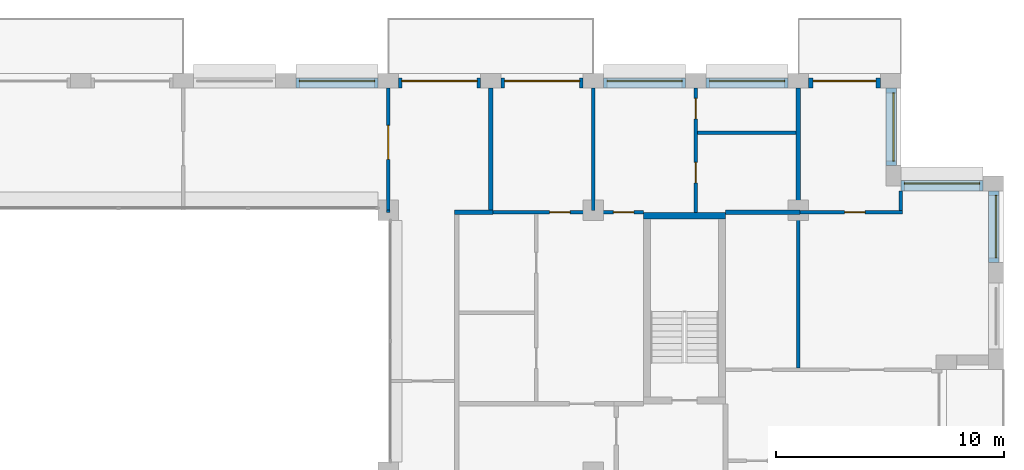
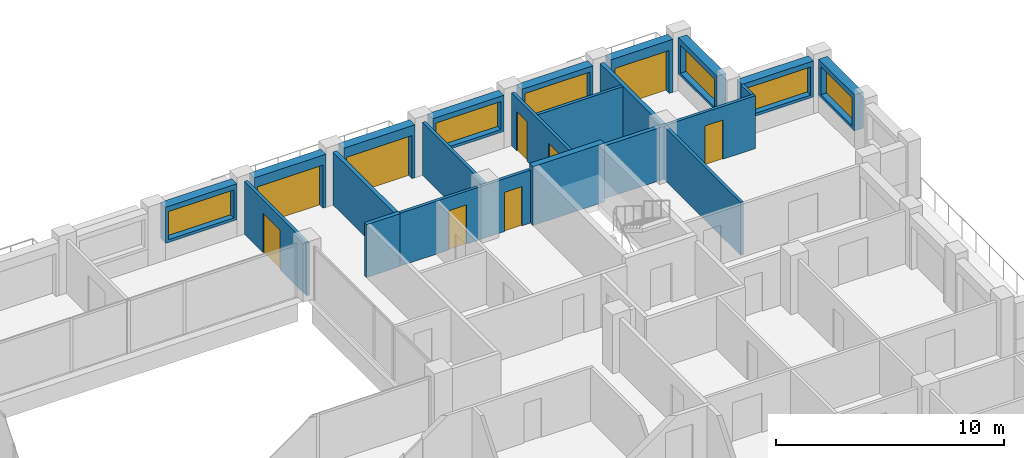
# One storey, part 14 of 16: 23 walls, 9 doors, 6 windows, 15 openings.
"""IFC4 building model written with IfcOpenShell, lengths in metres."""

import ifcopenshell
import ifcopenshell.guid

model = None  # the IFC model being written
_history = None  # IfcOwnerHistory: only IFC2X3 demands one
_inside = {}  # id of a spatial element -> (the spatial element, [elements in it])
_under = {}  # id of a project, library or spatial element -> (it, [spatial elements below it])
_declared = {}  # id of a project -> (the project, [libraries it declares])
_typed = {}  # id of a type object -> (the type object, [elements of that type])
_made_of = {}  # id of a material, layer set ... -> (it, [elements and type objects made of it])


def new_model(schema):
    """Start an empty IFC model of exactly this schema.

    Asked for "IFC4X3", IfcOpenShell would pick the latest addendum, in which some entities
    have other attributes; the version numbers below select the first issue.
    IFC2X3 requires an IfcOwnerHistory on every rooted entity: one is made here for all.
    """
    global model, _history
    if schema == "IFC4X3":
        model = ifcopenshell.file(schema_version=(4, 3, 0, 0))
    else:
        model = ifcopenshell.file(schema=schema)
    _inside.clear()
    _under.clear()
    _declared.clear()
    _typed.clear()
    _made_of.clear()
    _history = None
    if model.schema == "IFC2X3":
        org = make("IfcOrganization", Name="unknown")
        user = make(
            "IfcPersonAndOrganization",
            ThePerson=make("IfcPerson", FamilyName="unknown"),
            TheOrganization=org,
        )
        app = make(
            "IfcApplication",
            ApplicationDeveloper=org,
            Version="unknown",
            ApplicationFullName="unknown",
            ApplicationIdentifier="unknown",
        )
        _history = make(
            "IfcOwnerHistory",
            OwningUser=user,
            OwningApplication=app,
            ChangeAction="ADDED",
            CreationDate=0,
        )
    return model


def make(cls, **values):
    """One entity of the class cls with the attributes given. An attribute that is None is left unset."""
    return model.create_entity(
        cls, **{name: value for name, value in values.items() if value is not None}
    )


def rooted(cls, **values):
    """An entity with a GlobalId (a new one), such as an element, a storey or a relation."""
    return make(cls, GlobalId=ifcopenshell.guid.new(), OwnerHistory=_history, **values)


def si_unit(unit_type, name, prefix=None):
    """IfcSIUnit, for example si_unit("LENGTHUNIT", "METRE", prefix="MILLI")."""
    return make("IfcSIUnit", UnitType=unit_type, Prefix=prefix, Name=name)


def assignment(units):
    """IfcUnitAssignment: the units of a project."""
    return None if units is None else make("IfcUnitAssignment", Units=units)


def point(xyz):
    """IfcCartesianPoint."""
    return None if xyz is None else make("IfcCartesianPoint", Coordinates=xyz)


def direction(xyz):
    """IfcDirection."""
    return None if xyz is None else make("IfcDirection", DirectionRatios=xyz)


def frame(location, z_axis=None, x_axis=None):
    """IfcAxis2Placement3D, a coordinate frame: its origin and axes. An axis left out is left unset."""
    return make(
        "IfcAxis2Placement3D",
        Location=point(location),
        Axis=direction(z_axis),
        RefDirection=direction(x_axis),
    )


def frame_2d(location, x_axis=None):
    """IfcAxis2Placement2D, a coordinate frame in the plane: its origin and x axis."""
    return make(
        "IfcAxis2Placement2D", Location=point(location), RefDirection=direction(x_axis)
    )


def origin():
    """The frame at (0, 0, 0) with its axes left unset."""
    return frame((0.0, 0.0, 0.0))


def place(relative_to, where):
    """IfcLocalPlacement: puts the frame where relative to a parent placement (None: the world)."""
    return make(
        "IfcLocalPlacement", PlacementRelTo=relative_to, RelativePlacement=where
    )


def context(
    kind, dimensions, precision=None, world=None, true_north=None, identifier=None
):
    """IfcGeometricRepresentationContext, for example the 3D "Model" context."""
    return make(
        "IfcGeometricRepresentationContext",
        ContextIdentifier=identifier,
        ContextType=kind,
        CoordinateSpaceDimension=dimensions,
        Precision=precision,
        WorldCoordinateSystem=world,
        TrueNorth=true_north,
    )


def subcontext(parent, identifier, kind, view, scale=None):
    """IfcGeometricRepresentationSubContext, for example "Body" below "Model"."""
    return make(
        "IfcGeometricRepresentationSubContext",
        ContextIdentifier=identifier,
        ContextType=kind,
        ParentContext=parent,
        TargetScale=scale,
        TargetView=view,
    )


def project(units=None, contexts=None):
    """IfcProject with its units and contexts."""
    return rooted(
        "IfcProject",
        Name="project",
        RepresentationContexts=contexts,
        UnitsInContext=assignment(units),
    )


def spatial(cls, under=None, at=None, **own):
    """A site, building, storey or space (cls), placed at a placement, below another one or the project."""
    s = rooted(cls, ObjectPlacement=at, **own)
    if under is not None:
        _under.setdefault(under.id(), (under, []))[1].append(s)
    return s


def profile(cls, at=None, kind="AREA", **sizes):
    """A parametric profile (cls). Its sizes go by their IFC names, for example OverallWidth=200.0."""
    return make(cls, ProfileType=kind, Position=at, **sizes)


def rectangle(**sizes):
    """IfcRectangleProfileDef."""
    return profile("IfcRectangleProfileDef", **sizes)


def extrude(swept, where, along, depth):
    """IfcExtrudedAreaSolid: the profile swept, set in the frame where, extruded along a direction by depth."""
    return make(
        "IfcExtrudedAreaSolid",
        SweptArea=swept,
        Position=where,
        ExtrudedDirection=direction(along),
        Depth=depth,
    )


def shape(context_of_items, identifier, shape_type, items):
    """IfcShapeRepresentation: the items that make up one representation, for example the "Body"."""
    return make(
        "IfcShapeRepresentation",
        ContextOfItems=context_of_items,
        RepresentationIdentifier=identifier,
        RepresentationType=shape_type,
        Items=items,
    )


def material(Name=None, Category=None):
    """IfcMaterial."""
    return make("IfcMaterial", Name=Name, Category=Category)


def layer(
    of_material, thickness, ventilated=None, Name=None, Category=None, Priority=None
):
    """IfcMaterialLayer: one layer of a wall or slab, of a material (None: an air gap)."""
    return make(
        "IfcMaterialLayer",
        Material=of_material,
        LayerThickness=thickness,
        IsVentilated=ventilated,
        Name=Name,
        Category=Category,
        Priority=Priority,
    )


def layer_set(layers, Name=None):
    """IfcMaterialLayerSet."""
    return make("IfcMaterialLayerSet", MaterialLayers=layers, LayerSetName=Name)


def made_of(thing, what):
    """Note that an element or type object is made of a material, layer set ...; save() writes the relation."""
    if what is not None:
        _made_of.setdefault(what.id(), (what, []))[1].append(thing)
    return thing


def type_object(cls, material=None, **own):
    """A type object (cls), such as IfcWallType, which elements share."""
    return made_of(rooted(cls, **own), material)


def element(
    cls,
    number,
    at=None,
    inside=None,
    cuts=None,
    type_object=None,
    material=None,
    context=None,
    identifier="Body",
    shape_type=None,
    held_by="IfcProductDefinitionShape",
    body=None,
    shapes=None,
    **own,
):
    """One element of the class cls, such as IfcWall. Its Tag is "e" and its number.

    at: its placement. inside: the storey or other place that contains it. cuts: it is an
    opening in that element (IfcRelVoidsElement). A single representation is given by context,
    identifier, shape_type and body (its items); several are given by shapes. held_by: the class
    of the entity that holds the representations. save() writes the other relations.
    """
    e = rooted(cls, Tag="e%d" % number, ObjectPlacement=at, **own)
    if body is not None:
        shapes = [shape(context, identifier, shape_type, body)]
    if shapes is not None:
        e.Representation = make(held_by, Representations=shapes)
    if inside is not None:
        _inside.setdefault(inside.id(), (inside, []))[1].append(e)
    if cuts is not None:
        rooted(
            "IfcRelVoidsElement", RelatingBuildingElement=cuts, RelatedOpeningElement=e
        )
    if type_object is not None:
        _typed.setdefault(type_object.id(), (type_object, []))[1].append(e)
    return made_of(e, material)


def fill(opening, filler):
    """IfcRelFillsElement: the door or window that sits in an opening."""
    return rooted(
        "IfcRelFillsElement",
        RelatingOpeningElement=opening,
        RelatedBuildingElement=filler,
    )


def aggregate(whole, parts):
    """IfcRelAggregates: a whole, such as a stair, and the parts it consists of."""
    return rooted("IfcRelAggregates", RelatingObject=whole, RelatedObjects=parts)


def save(model, path):
    """Write the relations noted so far, then the file.

    IfcRelAggregates (storeys below a building ...), IfcRelContainedInSpatialStructure (elements
    in a storey), IfcRelDefinesByType, IfcRelAssociatesMaterial and IfcRelDeclares: one each for
    every whole, place, type object, material and project.
    """
    for whole, parts in _under.values():
        aggregate(whole, parts)
    for where, things in _inside.values():
        rooted(
            "IfcRelContainedInSpatialStructure",
            RelatedElements=things,
            RelatingStructure=where,
        )
    for kind, things in _typed.values():
        rooted("IfcRelDefinesByType", RelatedObjects=things, RelatingType=kind)
    for what, things in _made_of.values():
        rooted("IfcRelAssociatesMaterial", RelatedObjects=things, RelatingMaterial=what)
    for by, libraries in _declared.values():
        rooted("IfcRelDeclares", RelatingContext=by, RelatedDefinitions=libraries)
    model.write(path)


model = new_model("IFC4")

# Units and contexts
model_context = context("Model", 3, precision=1e-05, world=origin(), true_north=direction((0.0, 1.0)))
body_context = subcontext(model_context, "Body", "Model", "MODEL_VIEW")
ifc_project = project(units=[si_unit("LENGTHUNIT", "METRE"), si_unit("AREAUNIT", "SQUARE_METRE"), si_unit("VOLUMEUNIT", "CUBIC_METRE"), si_unit("PLANEANGLEUNIT", "RADIAN"), si_unit("MASSUNIT", "GRAM", prefix="KILO")], contexts=[model_context])

# Site, building, storey
site_placement = place(None, origin())
site = spatial("IfcSite", under=ifc_project, at=site_placement, CompositionType="ELEMENT")
building_placement = place(site_placement, origin())
building = spatial("IfcBuilding", under=site, at=building_placement, Name="Brigalow Station Residences", CompositionType="ELEMENT")
storey_placement = place(building_placement, frame((0.0, 0.0, 204.300048828125)))
storey = spatial("IfcBuildingStorey", under=building, at=storey_placement, Name="L58", CompositionType="ELEMENT", Elevation=204.300048828125)

# Wall, opening, window
ifc_material_1 = material(Name="Clay brick masonry", Category="masonry")
ifc_layer_1 = layer(ifc_material_1, 0.449951171875)
ifc_layer_set_1 = layer_set([ifc_layer_1], Name="BRICK INFILL WALL 450")
wall_type_1 = type_object("IfcWallType", Name="BRICK INFILL WALL 450", PredefinedType="SOLIDWALL", material=ifc_layer_set_1)
wall_1_placement = place(storey_placement, frame((71.574951171875, 33.199951171875, 0.89990234375), z_axis=(0.0, 0.0, 1.0), x_axis=(0.0, 1.0, 0.0)))
wall_1 = element("IfcWall", 1, at=wall_1_placement, inside=storey, type_object=wall_type_1, Name="L58/ewall/W-L58-17", PredefinedType="SOLIDWALL", context=body_context, shape_type="SweptSolid", body=[
    extrude(rectangle(XDim=3.150146484375, YDim=0.449951171875, at=frame_2d((1.5751953125, 0.0))), origin(), (0.0, 0.0, 1.0), 1.929931640625),
])
opening_1_placement = place(wall_1_placement, frame((0.199951171875, 0.0, 0.14990234375)))
opening_1 = element("IfcOpeningElement", 2, at=opening_1_placement, cuts=wall_1, Name="Opening WT-3", PredefinedType="OPENING", context=body_context, shape_type="SweptSolid", body=[
    extrude(rectangle(XDim=2.75, YDim=1.5, at=frame_2d((1.375, 0.75))), frame((0.0, 0.23486328125, 0.0), z_axis=(0.0, -1.0, 0.0), x_axis=(1.0, 0.0, 0.0)), (0.0, 0.0, 1.0), 0.469970703125),
])
ifc_material_2 = material(Name="Anodised aluminium frame with double glazing", Category="aluminium")
window_type_1 = type_object("IfcWindowType", Name="WINDOW 2750x1500", PartitioningType="SINGLE_PANEL", PredefinedType="WINDOW", material=ifc_material_2)
window_1_placement = place(opening_1_placement, origin())
window_1 = element("IfcWindow", 3, at=window_1_placement, inside=storey, type_object=window_type_1, Name="L58/window/W-L58-17", OverallHeight=1.5, OverallWidth=2.75, PartitioningType="SINGLE_PANEL", PredefinedType="WINDOW", context=body_context, shape_type="SweptSolid", body=[
    extrude(rectangle(XDim=2.75, YDim=1.5, at=frame_2d((1.375, 0.75))), frame((0.0, -0.06494140625, 0.0), z_axis=(0.0, -1.0, 0.0), x_axis=(1.0, 0.0, 0.0)), (0.0, 0.0, 1.0), 0.06005859375),
])
fill(opening_1, window_1)

wall_2_placement = place(storey_placement, frame((71.10009765625, 36.574951171875, 0.89990234375), z_axis=(0.0, 0.0, 1.0), x_axis=(-1.0, 0.0, 0.0)))
wall_2 = element("IfcWall", 4, at=wall_2_placement, inside=storey, type_object=wall_type_1, Name="L58/ewall/W-L58-18", PredefinedType="SOLIDWALL", context=body_context, shape_type="SweptSolid", body=[
    extrude(rectangle(XDim=3.60009765625, YDim=0.449951171875, at=frame_2d((1.800048828125, 0.0))), origin(), (0.0, 0.0, 1.0), 1.929931640625),
])
opening_2_placement = place(wall_2_placement, frame((0.14990234375, 0.0, 0.14990234375)))
opening_2 = element("IfcOpeningElement", 5, at=opening_2_placement, cuts=wall_2, Name="Opening WT-10", PredefinedType="OPENING", context=body_context, shape_type="SweptSolid", body=[
    extrude(rectangle(XDim=3.300048828125, YDim=1.5, at=frame_2d((1.64990234375, 0.75))), frame((0.0, 0.23486328125, 0.0), z_axis=(0.0, -1.0, 0.0), x_axis=(1.0, 0.0, 0.0)), (0.0, 0.0, 1.0), 0.469970703125),
])
ifc_material_3 = material(Name="Anodised aluminium frame with double glazing", Category="aluminium")
window_type_2 = type_object("IfcWindowType", Name="WINDOW 3300x1500", PartitioningType="SINGLE_PANEL", PredefinedType="WINDOW", material=ifc_material_3)
window_2_placement = place(opening_2_placement, origin())
window_2 = element("IfcWindow", 6, at=window_2_placement, inside=storey, type_object=window_type_2, Name="L58/window/W-L58-18", OverallHeight=1.5, OverallWidth=3.300048828125, PartitioningType="SINGLE_PANEL", PredefinedType="WINDOW", context=body_context, shape_type="SweptSolid", body=[
    extrude(rectangle(XDim=3.300048828125, YDim=1.5, at=frame_2d((1.64990234375, 0.75))), frame((0.0, -0.06494140625, 0.0), z_axis=(0.0, -1.0, 0.0), x_axis=(1.0, 0.0, 0.0)), (0.0, 0.0, 1.0), 0.06005859375),
])
fill(opening_2, window_2)

wall_3_placement = place(storey_placement, frame((67.074951171875, 37.449951171875, 0.89990234375), z_axis=(0.0, 0.0, 1.0), x_axis=(0.0, 1.0, 0.0)))
wall_3 = element("IfcWall", 7, at=wall_3_placement, inside=storey, type_object=wall_type_1, Name="L58/ewall/W-L58-19", PredefinedType="SOLIDWALL", context=body_context, shape_type="SweptSolid", body=[
    extrude(rectangle(XDim=3.400146484375, YDim=0.449951171875, at=frame_2d((1.7001953125, 0.0))), origin(), (0.0, 0.0, 1.0), 1.929931640625),
])
opening_3_placement = place(wall_3_placement, frame((0.199951171875, 0.0, 0.14990234375)))
opening_3 = element("IfcOpeningElement", 8, at=opening_3_placement, cuts=wall_3, Name="Opening WT-2", PredefinedType="OPENING", context=body_context, shape_type="SweptSolid", body=[
    extrude(rectangle(XDim=3.0, YDim=1.5, at=frame_2d((1.5, 0.75))), frame((0.0, 0.23486328125, 0.0), z_axis=(0.0, -1.0, 0.0), x_axis=(1.0, 0.0, 0.0)), (0.0, 0.0, 1.0), 0.469970703125),
])
ifc_material_4 = material(Name="Anodised aluminium frame with double glazing", Category="aluminium")
window_type_3 = type_object("IfcWindowType", Name="WINDOW 3000x1500", PartitioningType="SINGLE_PANEL", PredefinedType="WINDOW", material=ifc_material_4)
window_3_placement = place(opening_3_placement, origin())
window_3 = element("IfcWindow", 9, at=window_3_placement, inside=storey, type_object=window_type_3, Name="L58/window/W-L58-19", OverallHeight=1.5, OverallWidth=3.0, PartitioningType="SINGLE_PANEL", PredefinedType="WINDOW", context=body_context, shape_type="SweptSolid", body=[
    extrude(rectangle(XDim=3.0, YDim=1.5, at=frame_2d((1.5, 0.75))), frame((0.0, -0.06494140625, 0.0), z_axis=(0.0, -1.0, 0.0), x_axis=(1.0, 0.0, 0.0)), (0.0, 0.0, 1.0), 0.06005859375),
])
fill(opening_3, window_3)

# Wall, opening, door
wall_4_placement = place(storey_placement, frame((66.60009765625, 41.074951171875, 0.0), z_axis=(0.0, 0.0, 1.0), x_axis=(-1.0, 0.0, 0.0)))
wall_4 = element("IfcWall", 10, at=wall_4_placement, inside=storey, type_object=wall_type_1, Name="L58/ewall/W-L58-20", PredefinedType="SOLIDWALL", context=body_context, shape_type="SweptSolid", body=[
    extrude(rectangle(XDim=3.150146484375, YDim=0.449951171875, at=frame_2d((1.5751953125, 0.0))), origin(), (0.0, 0.0, 1.0), 2.829833984375),
])
opening_4_placement = place(wall_4_placement, frame((0.199951171875, 0.0, 0.0)))
opening_4 = element("IfcOpeningElement", 11, at=opening_4_placement, cuts=wall_4, Name="Opening D-B2750", PredefinedType="OPENING", context=body_context, shape_type="SweptSolid", body=[
    extrude(rectangle(XDim=2.75, YDim=2.300048828125, at=frame_2d((1.375, 1.14990234375))), frame((0.0, 0.23486328125, 0.0), z_axis=(0.0, -1.0, 0.0), x_axis=(1.0, 0.0, 0.0)), (0.0, 0.0, 1.0), 0.469970703125),
])
ifc_material_5 = material(Name="Anodised aluminium frame with double glazing", Category="aluminium")
door_type_1 = type_object("IfcDoorType", Name="BALCONY SLIDING DOOR 2750x2300", OperationType="SLIDING_TO_LEFT", PredefinedType="DOOR", material=ifc_material_5)
door_1_placement = place(opening_4_placement, origin())
door_1 = element("IfcDoor", 12, at=door_1_placement, inside=storey, type_object=door_type_1, Name="L58/balcony-door/W-L58-20", OperationType="SLIDING_TO_LEFT", OverallHeight=2.300048828125, OverallWidth=2.75, PredefinedType="DOOR", context=body_context, shape_type="SweptSolid", body=[
    extrude(rectangle(XDim=2.75, YDim=2.300048828125, at=frame_2d((1.375, 1.14990234375))), frame((0.0, -0.06982421875, 0.0), z_axis=(0.0, -1.0, 0.0), x_axis=(1.0, 0.0, 0.0)), (0.0, 0.0, 1.0), 0.050048828125),
])
fill(opening_4, door_1)

# Wall, opening, window
wall_5_placement = place(storey_placement, frame((62.550048828125, 41.074951171875, 0.89990234375), z_axis=(0.0, 0.0, 1.0), x_axis=(-1.0, 0.0, 0.0)))
wall_5 = element("IfcWall", 13, at=wall_5_placement, inside=storey, type_object=wall_type_1, Name="L58/ewall/W-L58-21", PredefinedType="SOLIDWALL", context=body_context, shape_type="SweptSolid", body=[
    extrude(rectangle(XDim=3.60009765625, YDim=0.449951171875, at=frame_2d((1.800048828125, 0.0))), origin(), (0.0, 0.0, 1.0), 1.929931640625),
])
opening_5_placement = place(wall_5_placement, frame((0.14990234375, 0.0, 0.14990234375)))
opening_5 = element("IfcOpeningElement", 14, at=opening_5_placement, cuts=wall_5, Name="Opening WT-10", PredefinedType="OPENING", context=body_context, shape_type="SweptSolid", body=[
    extrude(rectangle(XDim=3.300048828125, YDim=1.5, at=frame_2d((1.64990234375, 0.75))), frame((0.0, 0.23486328125, 0.0), z_axis=(0.0, -1.0, 0.0), x_axis=(1.0, 0.0, 0.0)), (0.0, 0.0, 1.0), 0.469970703125),
])
window_4_placement = place(opening_5_placement, origin())
window_4 = element("IfcWindow", 15, at=window_4_placement, inside=storey, type_object=window_type_2, Name="L58/window/W-L58-21", OverallHeight=1.5, OverallWidth=3.300048828125, PartitioningType="SINGLE_PANEL", PredefinedType="WINDOW", context=body_context, shape_type="SweptSolid", body=[
    extrude(rectangle(XDim=3.300048828125, YDim=1.5, at=frame_2d((1.64990234375, 0.75))), frame((0.0, -0.06494140625, 0.0), z_axis=(0.0, -1.0, 0.0), x_axis=(1.0, 0.0, 0.0)), (0.0, 0.0, 1.0), 0.06005859375),
])
fill(opening_5, window_4)

wall_6_placement = place(storey_placement, frame((58.050048828125, 41.074951171875, 0.89990234375), z_axis=(0.0, 0.0, 1.0), x_axis=(-1.0, 0.0, 0.0)))
wall_6 = element("IfcWall", 16, at=wall_6_placement, inside=storey, type_object=wall_type_1, Name="L58/ewall/W-L58-22", PredefinedType="SOLIDWALL", context=body_context, shape_type="SweptSolid", body=[
    extrude(rectangle(XDim=3.60009765625, YDim=0.449951171875, at=frame_2d((1.800048828125, 0.0))), origin(), (0.0, 0.0, 1.0), 1.929931640625),
])
opening_6_placement = place(wall_6_placement, frame((0.14990234375, 0.0, 0.14990234375)))
opening_6 = element("IfcOpeningElement", 17, at=opening_6_placement, cuts=wall_6, Name="Opening WT-10", PredefinedType="OPENING", context=body_context, shape_type="SweptSolid", body=[
    extrude(rectangle(XDim=3.300048828125, YDim=1.5, at=frame_2d((1.64990234375, 0.75))), frame((0.0, 0.23486328125, 0.0), z_axis=(0.0, -1.0, 0.0), x_axis=(1.0, 0.0, 0.0)), (0.0, 0.0, 1.0), 0.469970703125),
])
window_5_placement = place(opening_6_placement, origin())
window_5 = element("IfcWindow", 18, at=window_5_placement, inside=storey, type_object=window_type_2, Name="L58/window/W-L58-22", OverallHeight=1.5, OverallWidth=3.300048828125, PartitioningType="SINGLE_PANEL", PredefinedType="WINDOW", context=body_context, shape_type="SweptSolid", body=[
    extrude(rectangle(XDim=3.300048828125, YDim=1.5, at=frame_2d((1.64990234375, 0.75))), frame((0.0, -0.06494140625, 0.0), z_axis=(0.0, -1.0, 0.0), x_axis=(1.0, 0.0, 0.0)), (0.0, 0.0, 1.0), 0.06005859375),
])
fill(opening_6, window_5)

# Wall, opening, door
wall_7_placement = place(storey_placement, frame((53.550048828125, 41.074951171875, 0.0), z_axis=(0.0, 0.0, 1.0), x_axis=(-1.0, 0.0, 0.0)))
wall_7 = element("IfcWall", 19, at=wall_7_placement, inside=storey, type_object=wall_type_1, Name="L58/ewall/W-L58-23", PredefinedType="SOLIDWALL", context=body_context, shape_type="SweptSolid", body=[
    extrude(rectangle(XDim=3.60009765625, YDim=0.449951171875, at=frame_2d((1.800048828125, 0.0))), origin(), (0.0, 0.0, 1.0), 2.829833984375),
])
opening_7_placement = place(wall_7_placement, frame((0.14990234375, 0.0, 0.0)))
opening_7 = element("IfcOpeningElement", 20, at=opening_7_placement, cuts=wall_7, Name="Opening D-B3300", PredefinedType="OPENING", context=body_context, shape_type="SweptSolid", body=[
    extrude(rectangle(XDim=3.300048828125, YDim=2.300048828125, at=frame_2d((1.64990234375, 1.14990234375))), frame((0.0, 0.23486328125, 0.0), z_axis=(0.0, -1.0, 0.0), x_axis=(1.0, 0.0, 0.0)), (0.0, 0.0, 1.0), 0.469970703125),
])
ifc_material_6 = material(Name="Anodised aluminium frame with double glazing", Category="aluminium")
door_type_2 = type_object("IfcDoorType", Name="BALCONY SLIDING DOOR 3300x2300", OperationType="SLIDING_TO_LEFT", PredefinedType="DOOR", material=ifc_material_6)
door_2_placement = place(opening_7_placement, origin())
door_2 = element("IfcDoor", 21, at=door_2_placement, inside=storey, type_object=door_type_2, Name="L58/balcony-door/W-L58-23", OperationType="SLIDING_TO_LEFT", OverallHeight=2.300048828125, OverallWidth=3.300048828125, PredefinedType="DOOR", context=body_context, shape_type="SweptSolid", body=[
    extrude(rectangle(XDim=3.300048828125, YDim=2.300048828125, at=frame_2d((1.64990234375, 1.14990234375))), frame((0.0, -0.06982421875, 0.0), z_axis=(0.0, -1.0, 0.0), x_axis=(1.0, 0.0, 0.0)), (0.0, 0.0, 1.0), 0.050048828125),
])
fill(opening_7, door_2)

wall_8_placement = place(storey_placement, frame((49.050048828125, 41.074951171875, 0.0), z_axis=(0.0, 0.0, 1.0), x_axis=(-1.0, 0.0, 0.0)))
wall_8 = element("IfcWall", 22, at=wall_8_placement, inside=storey, type_object=wall_type_1, Name="L58/ewall/W-L58-24", PredefinedType="SOLIDWALL", context=body_context, shape_type="SweptSolid", body=[
    extrude(rectangle(XDim=3.60009765625, YDim=0.449951171875, at=frame_2d((1.800048828125, 0.0))), origin(), (0.0, 0.0, 1.0), 2.829833984375),
])
opening_8_placement = place(wall_8_placement, frame((0.14990234375, 0.0, 0.0)))
opening_8 = element("IfcOpeningElement", 23, at=opening_8_placement, cuts=wall_8, Name="Opening D-B3300", PredefinedType="OPENING", context=body_context, shape_type="SweptSolid", body=[
    extrude(rectangle(XDim=3.300048828125, YDim=2.300048828125, at=frame_2d((1.64990234375, 1.14990234375))), frame((0.0, 0.23486328125, 0.0), z_axis=(0.0, -1.0, 0.0), x_axis=(1.0, 0.0, 0.0)), (0.0, 0.0, 1.0), 0.469970703125),
])
door_3_placement = place(opening_8_placement, origin())
door_3 = element("IfcDoor", 24, at=door_3_placement, inside=storey, type_object=door_type_2, Name="L58/balcony-door/W-L58-24", OperationType="SLIDING_TO_LEFT", OverallHeight=2.300048828125, OverallWidth=3.300048828125, PredefinedType="DOOR", context=body_context, shape_type="SweptSolid", body=[
    extrude(rectangle(XDim=3.300048828125, YDim=2.300048828125, at=frame_2d((1.64990234375, 1.14990234375))), frame((0.0, -0.06982421875, 0.0), z_axis=(0.0, -1.0, 0.0), x_axis=(1.0, 0.0, 0.0)), (0.0, 0.0, 1.0), 0.050048828125),
])
fill(opening_8, door_3)

# Wall, opening, window
wall_9_placement = place(storey_placement, frame((44.550048828125, 41.074951171875, 0.89990234375), z_axis=(0.0, 0.0, 1.0), x_axis=(-1.0, 0.0, 0.0)))
wall_9 = element("IfcWall", 25, at=wall_9_placement, inside=storey, type_object=wall_type_1, Name="L58/ewall/W-L58-25", PredefinedType="SOLIDWALL", context=body_context, shape_type="SweptSolid", body=[
    extrude(rectangle(XDim=3.60009765625, YDim=0.449951171875, at=frame_2d((1.800048828125, 0.0))), origin(), (0.0, 0.0, 1.0), 1.929931640625),
])
opening_9_placement = place(wall_9_placement, frame((0.14990234375, 0.0, 0.14990234375)))
opening_9 = element("IfcOpeningElement", 26, at=opening_9_placement, cuts=wall_9, Name="Opening WT-10", PredefinedType="OPENING", context=body_context, shape_type="SweptSolid", body=[
    extrude(rectangle(XDim=3.300048828125, YDim=1.5, at=frame_2d((1.64990234375, 0.75))), frame((0.0, 0.23486328125, 0.0), z_axis=(0.0, -1.0, 0.0), x_axis=(1.0, 0.0, 0.0)), (0.0, 0.0, 1.0), 0.469970703125),
])
window_6_placement = place(opening_9_placement, origin())
window_6 = element("IfcWindow", 27, at=window_6_placement, inside=storey, type_object=window_type_2, Name="L58/window/W-L58-25", OverallHeight=1.5, OverallWidth=3.300048828125, PartitioningType="SINGLE_PANEL", PredefinedType="WINDOW", context=body_context, shape_type="SweptSolid", body=[
    extrude(rectangle(XDim=3.300048828125, YDim=1.5, at=frame_2d((1.64990234375, 0.75))), frame((0.0, -0.06494140625, 0.0), z_axis=(0.0, -1.0, 0.0), x_axis=(1.0, 0.0, 0.0)), (0.0, 0.0, 1.0), 0.06005859375),
])
fill(opening_9, window_6)

# Wall
ifc_material_7 = material(Name="Concrete C50", Category="concrete")
ifc_layer_2 = layer(ifc_material_7, 0.300048828125)
ifc_layer_set_2 = layer_set([ifc_layer_2], Name="CORE SHEAR WALL 300 C50")
wall_type_2 = type_object("IfcWallType", Name="CORE SHEAR WALL 300 C50", PredefinedType="SHEAR", material=ifc_layer_set_2)
wall_10_placement = place(storey_placement, frame((56.199951171875, 35.25, 0.0), z_axis=(0.0, 0.0, 1.0), x_axis=(1.0, 0.0, 0.0)))
element("IfcWall", 28, at=wall_10_placement, inside=storey, type_object=wall_type_2, Name="CORE WALL ST-S3-N L58", PredefinedType="SHEAR", context=body_context, shape_type="SweptSolid", body=[
    extrude(rectangle(XDim=3.60009765625, YDim=0.300048828125, at=frame_2d((1.800048828125, 0.0))), origin(), (0.0, 0.0, 1.0), 3.14990234375),
])

# Wall, openings, doors
ifc_material_8 = material(Name="Plasterboard on steel stud partition", Category="steel")
ifc_layer_3 = layer(ifc_material_8, 0.14990234375)
ifc_layer_set_3 = layer_set([ifc_layer_3], Name="FLAT PARTITION 150")
wall_type_3 = type_object("IfcWallType", Name="FLAT PARTITION 150", PredefinedType="PARTITIONING", material=ifc_layer_set_3)
wall_11_placement = place(storey_placement, frame((49.39990234375, 35.39990234375, 0.0), z_axis=(0.0, 0.0, 1.0), x_axis=(1.0, 0.0, 0.0)))
wall_11 = element("IfcWall", 29, at=wall_11_placement, inside=storey, type_object=wall_type_3, Name="PW-4A21", PredefinedType="PARTITIONING", context=body_context, shape_type="SweptSolid", body=[
    extrude(rectangle(XDim=6.800048828125, YDim=0.14990234375, at=frame_2d((3.39990234375, 0.0))), origin(), (0.0, 0.0, 1.0), 2.829833984375),
])
opening_10_placement = place(wall_11_placement, frame((2.675048828125, 0.0, 0.0)))
opening_10 = element("IfcOpeningElement", 30, at=opening_10_placement, cuts=wall_11, Name="Opening D-4A27", PredefinedType="OPENING", context=body_context, shape_type="SweptSolid", body=[
    extrude(rectangle(XDim=0.89990234375, YDim=2.10009765625, at=frame_2d((0.449951171875, 1.050048828125))), frame((0.0, 0.0849609375, 0.0), z_axis=(0.0, -1.0, 0.0), x_axis=(1.0, 0.0, 0.0)), (0.0, 0.0, 1.0), 0.169921875),
])
opening_11_placement = place(wall_11_placement, frame((5.47509765625, 0.0, 0.0)))
opening_11 = element("IfcOpeningElement", 31, at=opening_11_placement, cuts=wall_11, Name="Opening D-4A28", PredefinedType="OPENING", context=body_context, shape_type="SweptSolid", body=[
    extrude(rectangle(XDim=0.89990234375, YDim=2.10009765625, at=frame_2d((0.449951171875, 1.050048828125))), frame((0.0, 0.0849609375, 0.0), z_axis=(0.0, -1.0, 0.0), x_axis=(1.0, 0.0, 0.0)), (0.0, 0.0, 1.0), 0.169921875),
])
ifc_material_9 = material(Name="Solid-core timber door leaf", Category="wood")
door_type_3 = type_object("IfcDoorType", Name="INTERNAL DOOR 900 x 2100", OperationType="SINGLE_SWING_LEFT", PredefinedType="DOOR", material=ifc_material_9)
door_4_placement = place(opening_10_placement, origin())
door_4 = element("IfcDoor", 32, at=door_4_placement, inside=storey, type_object=door_type_3, Name="D-4A27", OperationType="SINGLE_SWING_RIGHT", OverallHeight=2.10009765625, OverallWidth=0.89990234375, PredefinedType="DOOR", context=body_context, shape_type="SweptSolid", body=[
    extrude(rectangle(XDim=0.89990234375, YDim=2.10009765625, at=frame_2d((0.449951171875, 1.050048828125))), frame((0.0, 0.02490234375, 0.0), z_axis=(0.0, -1.0, 0.0), x_axis=(1.0, 0.0, 0.0)), (0.0, 0.0, 1.0), 0.050048828125),
])
fill(opening_10, door_4)
door_5_placement = place(opening_11_placement, origin())
door_5 = element("IfcDoor", 33, at=door_5_placement, inside=storey, type_object=door_type_3, Name="D-4A28", OperationType="SINGLE_SWING_LEFT", OverallHeight=2.10009765625, OverallWidth=0.89990234375, PredefinedType="DOOR", context=body_context, shape_type="SweptSolid", body=[
    extrude(rectangle(XDim=0.89990234375, YDim=2.10009765625, at=frame_2d((0.449951171875, 1.050048828125))), frame((0.0, 0.02490234375, 0.0), z_axis=(0.0, -1.0, 0.0), x_axis=(1.0, 0.0, 0.0)), (0.0, 0.0, 1.0), 0.050048828125),
])
fill(opening_11, door_5)

# Wall, opening, door
wall_12_placement = place(storey_placement, frame((62.925048828125, 35.39990234375, 0.0), z_axis=(0.0, 0.0, 1.0), x_axis=(1.0, 0.0, 0.0)))
wall_12 = element("IfcWall", 34, at=wall_12_placement, inside=storey, type_object=wall_type_3, Name="PW-4A22", PredefinedType="PARTITIONING", context=body_context, shape_type="SweptSolid", body=[
    extrude(rectangle(XDim=4.64990234375, YDim=0.14990234375, at=frame_2d((2.324951171875, 0.0))), origin(), (0.0, 0.0, 1.0), 2.829833984375),
])
opening_12_placement = place(wall_12_placement, frame((2.10009765625, 0.0, 0.0)))
opening_12 = element("IfcOpeningElement", 35, at=opening_12_placement, cuts=wall_12, Name="Opening D-4A46", PredefinedType="OPENING", context=body_context, shape_type="SweptSolid", body=[
    extrude(rectangle(XDim=0.89990234375, YDim=2.10009765625, at=frame_2d((0.449951171875, 1.050048828125))), frame((0.0, 0.0849609375, 0.0), z_axis=(0.0, -1.0, 0.0), x_axis=(1.0, 0.0, 0.0)), (0.0, 0.0, 1.0), 0.169921875),
])
door_6_placement = place(opening_12_placement, origin())
door_6 = element("IfcDoor", 36, at=door_6_placement, inside=storey, type_object=door_type_3, Name="D-4A46", OperationType="SINGLE_SWING_RIGHT", OverallHeight=2.10009765625, OverallWidth=0.89990234375, PredefinedType="DOOR", context=body_context, shape_type="SweptSolid", body=[
    extrude(rectangle(XDim=0.89990234375, YDim=2.10009765625, at=frame_2d((0.449951171875, 1.050048828125))), frame((0.0, 0.02490234375, 0.0), z_axis=(0.0, -1.0, 0.0), x_axis=(1.0, 0.0, 0.0)), (0.0, 0.0, 1.0), 0.050048828125),
])
fill(opening_12, door_6)

# Walls
wall_13_placement = place(storey_placement, frame((58.574951171875, 38.89990234375, 0.0), z_axis=(0.0, 0.0, 1.0), x_axis=(1.0, 0.0, 0.0)))
element("IfcWall", 37, at=wall_13_placement, inside=storey, type_object=wall_type_3, Name="PW-4A28", PredefinedType="PARTITIONING", context=body_context, shape_type="SweptSolid", body=[
    extrude(rectangle(XDim=4.324951171875, YDim=0.14990234375, at=frame_2d((2.16259765625, 0.0))), origin(), (0.0, 0.0, 1.0), 2.829833984375),
])
wall_14_placement = place(storey_placement, frame((54.0, 35.47509765625, 0.0), z_axis=(0.0, 0.0, 1.0), x_axis=(0.0, 1.0, 0.0)))
element("IfcWall", 38, at=wall_14_placement, inside=storey, type_object=wall_type_3, Name="PW-4A35", PredefinedType="PARTITIONING", context=body_context, shape_type="SweptSolid", body=[
    extrude(rectangle(XDim=5.375, YDim=0.14990234375, at=frame_2d((2.6875, 0.0))), origin(), (0.0, 0.0, 1.0), 2.829833984375),
])
wall_15_placement = place(storey_placement, frame((45.0, 35.39990234375, 0.0), z_axis=(0.0, 0.0, 1.0), x_axis=(0.0, 1.0, 0.0)))
element("IfcWall", 39, at=wall_15_placement, inside=storey, type_object=wall_type_3, Name="PW-4A49", PredefinedType="PARTITIONING", context=body_context, shape_type="SweptSolid", body=[
    extrude(rectangle(XDim=0.10009765625, YDim=0.14990234375, at=frame_2d((0.050048828125, 0.0))), origin(), (0.0, 0.0, 1.0), 2.829833984375),
])

# Wall, opening, door
wall_16_placement = place(storey_placement, frame((45.0, 35.5, 0.0), z_axis=(0.0, 0.0, 1.0), x_axis=(0.0, 1.0, 0.0)))
wall_16 = element("IfcWall", 40, at=wall_16_placement, inside=storey, type_object=wall_type_3, Name="PW-4A50", PredefinedType="PARTITIONING", context=body_context, shape_type="SweptSolid", body=[
    extrude(rectangle(XDim=5.35009765625, YDim=0.14990234375, at=frame_2d((2.675048828125, 0.0))), origin(), (0.0, 0.0, 1.0), 2.829833984375),
])
opening_13_placement = place(wall_16_placement, frame((2.22509765625, 0.0, 0.0)))
opening_13 = element("IfcOpeningElement", 41, at=opening_13_placement, cuts=wall_16, Name="Opening D-4A22", PredefinedType="OPENING", context=body_context, shape_type="SweptSolid", body=[
    extrude(rectangle(XDim=1.5, YDim=2.10009765625, at=frame_2d((0.75, 1.050048828125))), frame((0.0, 0.0849609375, 0.0), z_axis=(0.0, -1.0, 0.0), x_axis=(1.0, 0.0, 0.0)), (0.0, 0.0, 1.0), 0.169921875),
])
ifc_material_10 = material(Name="Solid-core timber door leaf", Category="wood")
door_type_4 = type_object("IfcDoorType", Name="INTERNAL DOUBLE DOOR 1500 x 2100", OperationType="DOUBLE_DOOR_SINGLE_SWING", PredefinedType="DOOR", material=ifc_material_10)
door_7_placement = place(opening_13_placement, frame((1.5, 0.0, 0.0), z_axis=(0.0, 0.0, 1.0), x_axis=(-1.0, 0.0, 0.0)))
door_7 = element("IfcDoor", 42, at=door_7_placement, inside=storey, type_object=door_type_4, Name="D-4A22", OperationType="DOUBLE_DOOR_SINGLE_SWING", OverallHeight=2.10009765625, OverallWidth=1.5, PredefinedType="DOOR", context=body_context, shape_type="SweptSolid", body=[
    extrude(rectangle(XDim=1.5, YDim=2.10009765625, at=frame_2d((0.75, 1.050048828125))), frame((0.0, 0.02490234375, 0.0), z_axis=(0.0, -1.0, 0.0), x_axis=(1.0, 0.0, 0.0)), (0.0, 0.0, 1.0), 0.050048828125),
])
fill(opening_13, door_7)

# Wall, openings, doors
wall_17_placement = place(storey_placement, frame((58.5, 35.39990234375, 0.0), z_axis=(0.0, 0.0, 1.0), x_axis=(0.0, 1.0, 0.0)))
wall_17 = element("IfcWall", 43, at=wall_17_placement, inside=storey, type_object=wall_type_3, Name="PW-4A56", PredefinedType="PARTITIONING", context=body_context, shape_type="SweptSolid", body=[
    extrude(rectangle(XDim=5.4501953125, YDim=0.14990234375, at=frame_2d((2.72509765625, 0.0))), origin(), (0.0, 0.0, 1.0), 2.829833984375),
])
opening_14_placement = place(wall_17_placement, frame((1.300048828125, 0.0, 0.0)))
opening_14 = element("IfcOpeningElement", 44, at=opening_14_placement, cuts=wall_17, Name="Opening D-4A29", PredefinedType="OPENING", context=body_context, shape_type="SweptSolid", body=[
    extrude(rectangle(XDim=0.89990234375, YDim=2.10009765625, at=frame_2d((0.449951171875, 1.050048828125))), frame((0.0, 0.0849609375, 0.0), z_axis=(0.0, -1.0, 0.0), x_axis=(1.0, 0.0, 0.0)), (0.0, 0.0, 1.0), 0.169921875),
])
opening_15_placement = place(wall_17_placement, frame((4.10009765625, 0.0, 0.0)))
opening_15 = element("IfcOpeningElement", 45, at=opening_15_placement, cuts=wall_17, Name="Opening D-4A30", PredefinedType="OPENING", context=body_context, shape_type="SweptSolid", body=[
    extrude(rectangle(XDim=0.89990234375, YDim=2.10009765625, at=frame_2d((0.449951171875, 1.050048828125))), frame((0.0, 0.0849609375, 0.0), z_axis=(0.0, -1.0, 0.0), x_axis=(1.0, 0.0, 0.0)), (0.0, 0.0, 1.0), 0.169921875),
])
door_8_placement = place(opening_14_placement, frame((0.89990234375, 0.0, 0.0), z_axis=(0.0, 0.0, 1.0), x_axis=(-1.0, 0.0, 0.0)))
door_8 = element("IfcDoor", 46, at=door_8_placement, inside=storey, type_object=door_type_3, Name="D-4A29", OperationType="SINGLE_SWING_LEFT", OverallHeight=2.10009765625, OverallWidth=0.89990234375, PredefinedType="DOOR", context=body_context, shape_type="SweptSolid", body=[
    extrude(rectangle(XDim=0.89990234375, YDim=2.10009765625, at=frame_2d((0.449951171875, 1.050048828125))), frame((0.0, 0.02490234375, 0.0), z_axis=(0.0, -1.0, 0.0), x_axis=(1.0, 0.0, 0.0)), (0.0, 0.0, 1.0), 0.050048828125),
])
fill(opening_14, door_8)
door_9_placement = place(opening_15_placement, frame((0.89990234375, 0.0, 0.0), z_axis=(0.0, 0.0, 1.0), x_axis=(-1.0, 0.0, 0.0)))
door_9 = element("IfcDoor", 47, at=door_9_placement, inside=storey, type_object=door_type_3, Name="D-4A30", OperationType="SINGLE_SWING_LEFT", OverallHeight=2.10009765625, OverallWidth=0.89990234375, PredefinedType="DOOR", context=body_context, shape_type="SweptSolid", body=[
    extrude(rectangle(XDim=0.89990234375, YDim=2.10009765625, at=frame_2d((0.449951171875, 1.050048828125))), frame((0.0, 0.02490234375, 0.0), z_axis=(0.0, -1.0, 0.0), x_axis=(1.0, 0.0, 0.0)), (0.0, 0.0, 1.0), 0.050048828125),
])
fill(opening_15, door_9)

# Walls
wall_18_placement = place(storey_placement, frame((63.0, 28.574951171875, 0.0), z_axis=(0.0, 0.0, 1.0), x_axis=(0.0, 1.0, 0.0)))
element("IfcWall", 48, at=wall_18_placement, inside=storey, type_object=wall_type_3, Name="PW-4A60", PredefinedType="PARTITIONING", context=body_context, shape_type="SweptSolid", body=[
    extrude(rectangle(XDim=6.75, YDim=0.14990234375, at=frame_2d((3.375, 0.0))), origin(), (0.0, 0.0, 1.0), 2.829833984375),
])
wall_19_placement = place(storey_placement, frame((67.5, 35.47509765625, 0.0), z_axis=(0.0, 0.0, 1.0), x_axis=(0.0, 1.0, 0.0)))
element("IfcWall", 49, at=wall_19_placement, inside=storey, type_object=wall_type_3, Name="PW-4A63", PredefinedType="PARTITIONING", context=body_context, shape_type="SweptSolid", body=[
    extrude(rectangle(XDim=0.875, YDim=0.14990234375, at=frame_2d((0.4375, 0.0))), origin(), (0.0, 0.0, 1.0), 2.829833984375),
])
ifc_material_11 = material(Name="Plasterboard on steel stud partition", Category="steel")
ifc_layer_4 = layer(ifc_material_11, 0.199951171875)
ifc_layer_set_4 = layer_set([ifc_layer_4], Name="PARTY AND CORRIDOR WALL 200")
wall_type_4 = type_object("IfcWallType", Name="PARTY AND CORRIDOR WALL 200", PredefinedType="PARTITIONING", material=ifc_layer_set_4)
wall_20_placement = place(storey_placement, frame((47.89990234375, 35.39990234375, 0.0), z_axis=(0.0, 0.0, 1.0), x_axis=(1.0, 0.0, 0.0)))
element("IfcWall", 50, at=wall_20_placement, inside=storey, type_object=wall_type_4, Name="PW-4A23", PredefinedType="PARTITIONING", context=body_context, shape_type="SweptSolid", body=[
    extrude(rectangle(XDim=1.7001953125, YDim=0.199951171875, at=frame_2d((0.85009765625, 0.0))), origin(), (0.0, 0.0, 1.0), 2.829833984375),
])
wall_21_placement = place(storey_placement, frame((59.800048828125, 35.39990234375, 0.0), z_axis=(0.0, 0.0, 1.0), x_axis=(1.0, 0.0, 0.0)))
element("IfcWall", 51, at=wall_21_placement, inside=storey, type_object=wall_type_4, Name="PW-4A24", PredefinedType="PARTITIONING", context=body_context, shape_type="SweptSolid", body=[
    extrude(rectangle(XDim=3.27490234375, YDim=0.199951171875, at=frame_2d((1.637451171875, 0.0))), origin(), (0.0, 0.0, 1.0), 2.829833984375),
])
for number, where, z_axis, x_axis, name in (
    (52, (49.5, 35.47509765625, 0.0), (0.0, 0.0, 1.0), (0.0, 1.0, 0.0), "PW-4A51"),
    (53, (63.0, 35.47509765625, 0.0), (0.0, 0.0, 1.0), (0.0, 1.0, 0.0), "PW-4A61"),
):
    element("IfcWall", number, at=place(storey_placement, frame(where, z_axis=z_axis, x_axis=x_axis)), inside=storey, type_object=wall_type_4, Name=name, PredefinedType="PARTITIONING", context=body_context, shape_type="SweptSolid", body=[
        extrude(rectangle(XDim=5.375, YDim=0.199951171875, at=frame_2d((2.6875, 0.0))), origin(), (0.0, 0.0, 1.0), 2.829833984375),
    ])

save(model, "model.ifc")
